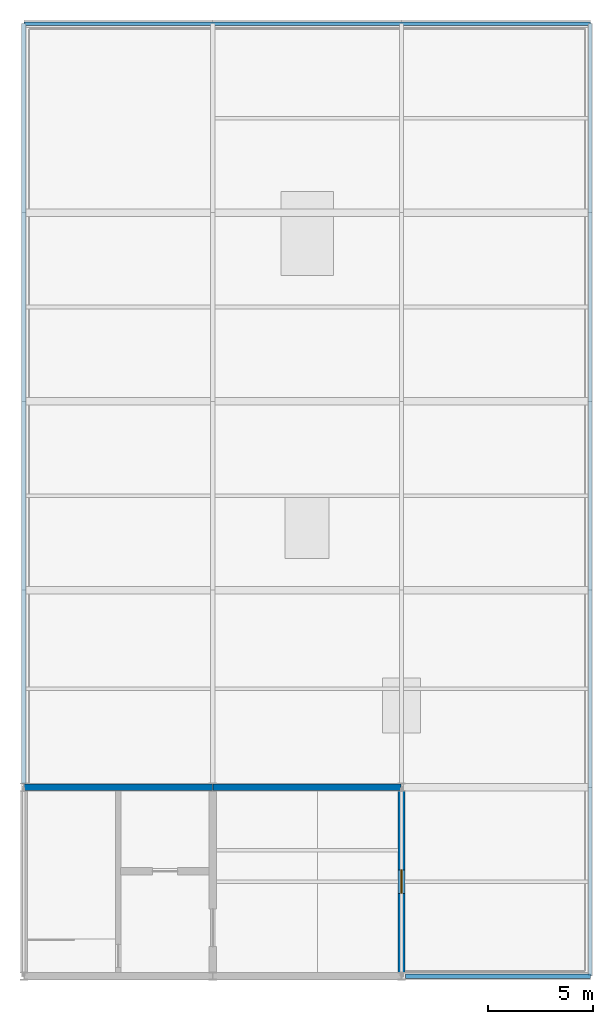
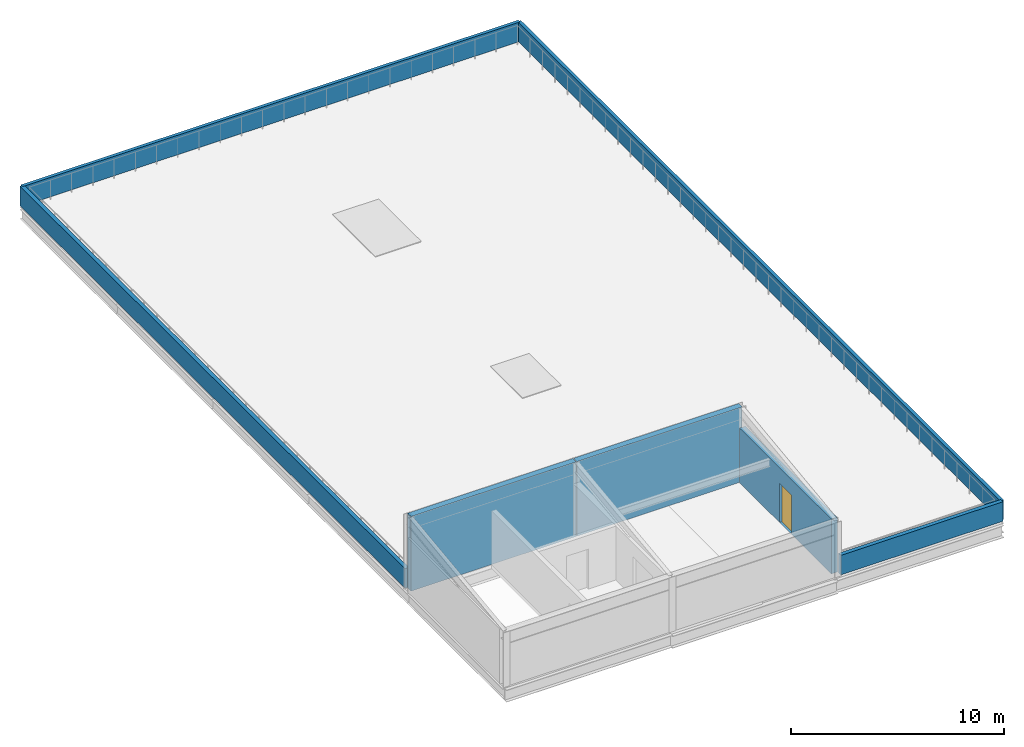
# One storey, part 2 of 3: 7 walls, 1 door, 1 opening.
"""IFC4 building model written with IfcOpenShell, lengths in metres."""

from ifc_helpers import new_model, si_unit, direction, frame, frame_2d, origin, place, context, subcontext, project, spatial, rectangle, extrude, material, layer, layer_set, type_object, element, fill, save


model = new_model("IFC4")

# Units and contexts
model_context = context("Model", 3, precision=1e-05, world=origin(), true_north=direction((0.0, 1.0)))
body_context = subcontext(model_context, "Body", "Model", "MODEL_VIEW")
ifc_project = project(units=[si_unit("LENGTHUNIT", "METRE"), si_unit("AREAUNIT", "SQUARE_METRE"), si_unit("VOLUMEUNIT", "CUBIC_METRE"), si_unit("PLANEANGLEUNIT", "RADIAN"), si_unit("MASSUNIT", "GRAM", prefix="KILO")], contexts=[model_context])

# Site, building, storey
site_placement = place(None, origin())
site = spatial("IfcSite", under=ifc_project, at=site_placement, CompositionType="ELEMENT")
building_placement = place(site_placement, origin())
building = spatial("IfcBuilding", under=site, at=building_placement, Name="Cazmaro Siding Exhibition Halls", CompositionType="ELEMENT")
storey_placement = place(building_placement, frame((0.0, 0.0, 25.5)))
storey = spatial("IfcBuildingStorey", under=building, at=storey_placement, Name="RF", CompositionType="ELEMENT", Elevation=25.5)

# Walls
ifc_material_1 = material(Name="Concrete f'c 45 MPa", Category="concrete")
ifc_layer_1 = layer(ifc_material_1, 0.320068359375)
ifc_layer_set_1 = layer_set([ifc_layer_1], Name="Concrete f'c 45 MPa")
wall_type_1 = type_object("IfcWallType", Name="EW-01", PredefinedType="STANDARD", material=ifc_layer_set_1)
for number, where, z_axis, x_axis, name in (
    (1, (0.014892578125, 63.60009765625, 0.0), (0.0, 0.0, 1.0), (1.0, 0.0, 0.0), "Rooftop Penthouse North Wall EW-01 WL-E0319"),
    (2, (9.014892578125, 63.60009765625, 0.0), (0.0, 0.0, 1.0), (1.0, 0.0, 0.0), "Rooftop Penthouse North Wall EW-01 WL-E0321"),
):
    element("IfcWall", number, at=place(storey_placement, frame(where, z_axis=z_axis, x_axis=x_axis)), inside=storey, type_object=wall_type_1, Name=name, PredefinedType="STANDARD", context=body_context, shape_type="SweptSolid", body=[
        extrude(rectangle(XDim=8.97021484375, YDim=0.320068359375, at=frame_2d((4.485107421875, 0.0))), origin(), (0.0, 0.0, 1.0), 4.2900390625),
    ])

# Wall, opening, door
wall_1_placement = place(storey_placement, frame((18.0, 63.419921875, 0.0), z_axis=(0.0, 0.0, 1.0), x_axis=(0.0, -1.0, 0.0)))
wall_1 = element("IfcWall", 3, at=wall_1_placement, inside=storey, type_object=wall_type_1, Name="Rooftop Penthouse East Access Wall EW-01 WL-E0322", PredefinedType="STANDARD", context=body_context, shape_type="SweptSolid", body=[
    extrude(rectangle(XDim=8.639892578125, YDim=0.320068359375, at=frame_2d((4.31982421875, 0.0))), origin(), (0.0, 0.0, 1.0), 3.139892578125),
])
opening_placement = place(wall_1_placement, frame((3.760009765625, 0.0, 0.0)))
opening = element("IfcOpeningElement", 4, at=opening_placement, cuts=wall_1, Name="Opening D-E077", PredefinedType="OPENING", context=body_context, shape_type="SweptSolid", body=[
    extrude(rectangle(XDim=1.1201171875, YDim=2.239990234375, at=frame_2d((0.56005859375, 1.1201171875))), frame((0.0, 0.169921875, 0.0), z_axis=(0.0, -1.0, 0.0), x_axis=(1.0, 0.0, 0.0)), (0.0, 0.0, 1.0), 0.340087890625),
])
ifc_material_2 = material(Name="Anodized Bronze Glazed Entrance Door", Category="aluminium")
door_type = type_object("IfcDoorType", Name="ED-04", OperationType="NOTDEFINED", PredefinedType="DOOR", material=ifc_material_2)
door_placement = place(opening_placement, origin())
door = element("IfcDoor", 5, at=door_placement, inside=storey, type_object=door_type, Name="Roof Maintenance Access Door D-E077 (ED-04)", OperationType="SINGLE_SWING_LEFT", OverallHeight=2.239990234375, OverallWidth=1.1201171875, PredefinedType="DOOR", context=body_context, shape_type="SweptSolid", body=[
    extrude(rectangle(XDim=1.1201171875, YDim=2.239990234375, at=frame_2d((0.56005859375, 1.1201171875))), frame((0.0, 0.02490234375, 0.0), z_axis=(0.0, -1.0, 0.0), x_axis=(1.0, 0.0, 0.0)), (0.0, 0.0, 1.0), 0.050048828125),
])
fill(opening, door)

# Walls
ifc_material_3 = material(Name="Concrete f'c 35 MPa", Category="concrete")
ifc_layer_2 = layer(ifc_material_3, 0.215087890625)
ifc_layer_set_2 = layer_set([ifc_layer_2], Name="Concrete f'c 35 MPa")
wall_type_2 = type_object("IfcWallType", Name="PP-01", PredefinedType="PARAPET", material=ifc_layer_set_2)
wall_2_placement = place(storey_placement, frame((27.0, 54.60009765625, 0.0), z_axis=(0.0, 0.0, 1.0), x_axis=(-1.0, 0.0, 0.0)))
element("IfcWall", 6, at=wall_2_placement, inside=storey, type_object=wall_type_2, Name="West Wing Top South-East Parapet PP-01 WL-E0328", PredefinedType="PARAPET", context=body_context, shape_type="SweptSolid", body=[
    extrude(rectangle(XDim=8.81005859375, YDim=0.215087890625, at=frame_2d((4.405029296875, 0.0))), origin(), (0.0, 0.0, 1.0), 1.1201171875),
])
wall_3_placement = place(storey_placement, frame((0.0, 63.7900390625, 0.0), z_axis=(0.0, 0.0, 1.0), x_axis=(0.0, 1.0, 0.0)))
element("IfcWall", 7, at=wall_3_placement, inside=storey, type_object=wall_type_2, Name="West Wing Top West Parapet PP-01 WL-E0329", PredefinedType="PARAPET", context=body_context, shape_type="SweptSolid", body=[
    extrude(rectangle(XDim=36.2099609375, YDim=0.215087890625, at=frame_2d((18.10498046875, 0.0))), origin(), (0.0, 0.0, 1.0), 1.1201171875),
])
ifc_material_4 = material(Name="Precast concrete f'c 40 MPa", Category="concrete")
ifc_layer_3 = layer(ifc_material_4, 0.175048828125)
ifc_layer_set_3 = layer_set([ifc_layer_3], Name="Precast concrete f'c 40 MPa")
wall_type_3 = type_object("IfcWallType", Name="PP-02", PredefinedType="PARAPET", material=ifc_layer_set_3)
wall_4_placement = place(storey_placement, frame((27.0, 100.0, 0.0), z_axis=(0.0, 0.0, 1.0), x_axis=(0.0, -1.0, 0.0)))
element("IfcWall", 8, at=wall_4_placement, inside=storey, type_object=wall_type_3, Name="West Wing Top East Parapet PP-02 WL-E0330", PredefinedType="PARAPET", context=body_context, shape_type="SweptSolid", body=[
    extrude(rectangle(XDim=45.39990234375, YDim=0.175048828125, at=frame_2d((22.699951171875, 0.0))), origin(), (0.0, 0.0, 1.0), 1.1201171875),
])
wall_5_placement = place(storey_placement, frame((0.0, 100.0, 0.0), z_axis=(0.0, 0.0, 1.0), x_axis=(1.0, 0.0, 0.0)))
element("IfcWall", 9, at=wall_5_placement, inside=storey, type_object=wall_type_3, Name="West Wing Top North Parapet PP-02 WL-E0331", PredefinedType="PARAPET", context=body_context, shape_type="SweptSolid", body=[
    extrude(rectangle(XDim=27.0, YDim=0.175048828125, at=frame_2d((13.5, 0.0))), origin(), (0.0, 0.0, 1.0), 1.1201171875),
])

save(model, "model.ifc")
